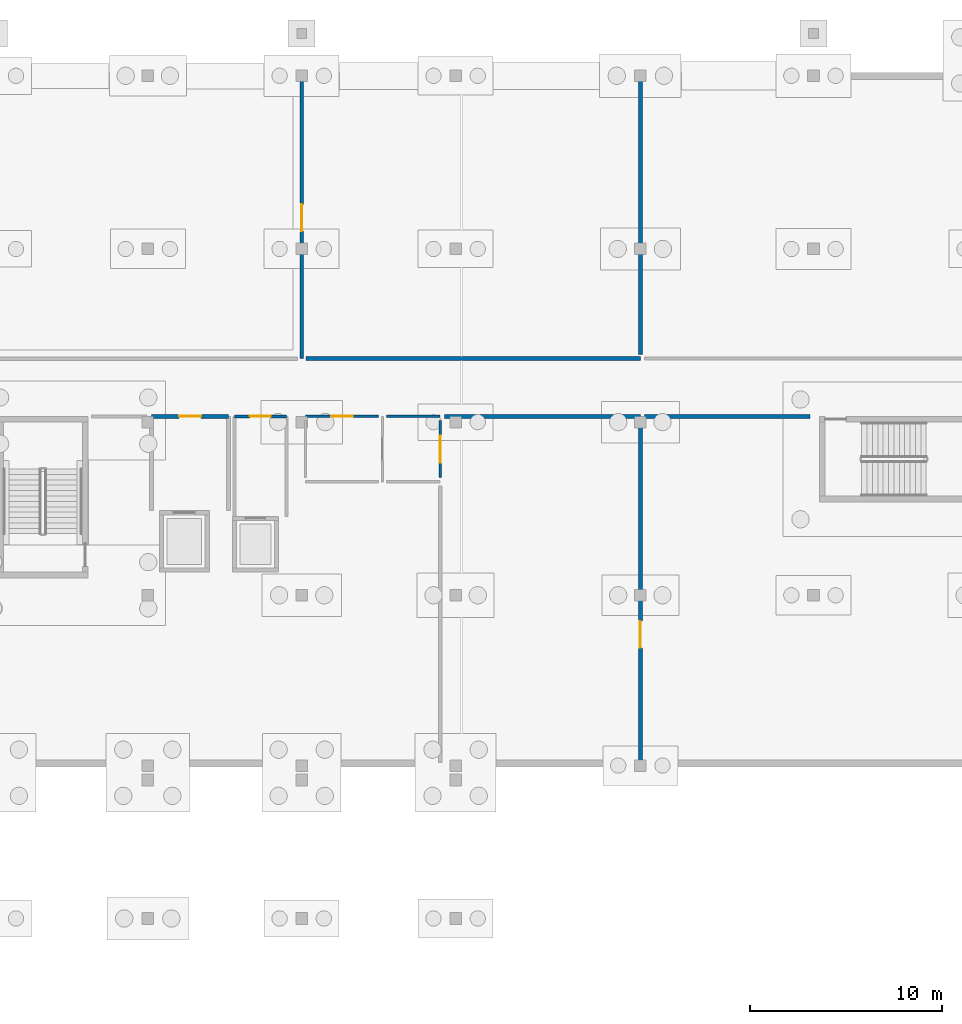
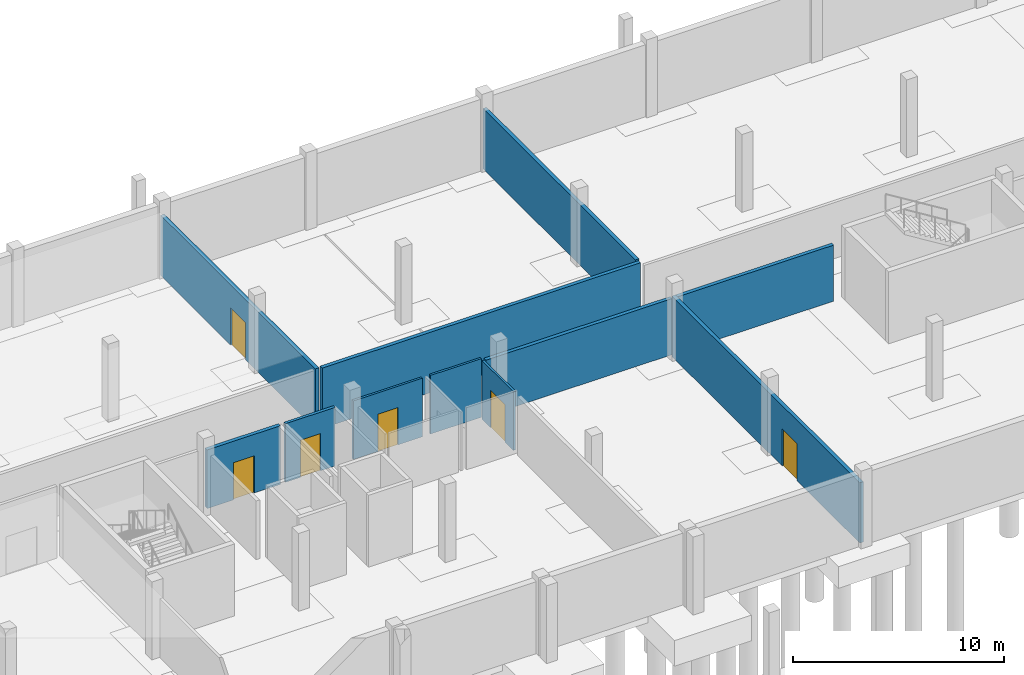
# One storey, part 20 of 36: 11 walls, 6 doors, 6 openings.
"""IFC4 building model written with IfcOpenShell, lengths in metres."""

from ifc_helpers import new_model, si_unit, direction, frame, frame_2d, origin, place, context, subcontext, project, spatial, rectangle, extrude, material, layer, layer_set, type_object, element, fill, save


model = new_model("IFC4")

# Units and contexts
model_context = context("Model", 3, precision=1e-05, world=origin(), true_north=direction((0.0, 1.0)))
body_context = subcontext(model_context, "Body", "Model", "MODEL_VIEW")
ifc_project = project(units=[si_unit("LENGTHUNIT", "METRE"), si_unit("AREAUNIT", "SQUARE_METRE"), si_unit("VOLUMEUNIT", "CUBIC_METRE"), si_unit("PLANEANGLEUNIT", "RADIAN"), si_unit("MASSUNIT", "GRAM", prefix="KILO")], contexts=[model_context])

# Site, building, storey
site_placement = place(None, origin())
site = spatial("IfcSite", under=ifc_project, at=site_placement, CompositionType="ELEMENT")
building_placement = place(site_placement, origin())
building = spatial("IfcBuilding", under=site, at=building_placement, Name="Chiffa Square Polytechnic", CompositionType="ELEMENT")
storey_placement = place(building_placement, frame((0.0, 0.0, -4.5)))
storey = spatial("IfcBuildingStorey", under=building, at=storey_placement, Name="B1", CompositionType="ELEMENT", Elevation=-4.5)

# Wall, opening, door
ifc_material_1 = material(Name="Autoclaved aerated concrete blockwork", Category="masonry")
ifc_layer_1 = layer(ifc_material_1, 0.199951171875, Name="Autoclaved aerated concrete blockwork")
ifc_layer_set_1 = layer_set([ifc_layer_1], Name="Autoclaved aerated concrete blockwork")
wall_type_1 = type_object("IfcWallType", Name="WL-PART-EI120-200", PredefinedType="PARTITIONING", material=ifc_layer_set_1)
wall_1_placement = place(storey_placement, frame((32.199951171875, 113.10009765625, 0.0), z_axis=(0.0, 0.0, 1.0), x_axis=(1.0, 0.0, 0.0)))
wall_1 = element("IfcWall", 1, at=wall_1_placement, inside=storey, type_object=wall_type_1, Name="Lift lobby rated enclosure WP-LOB-LF-V5-B1-NORTH", PredefinedType="PARTITIONING", context=body_context, shape_type="SweptSolid", body=[
    extrude(rectangle(XDim=4.0, YDim=0.199951171875, at=frame_2d((2.0, 0.0))), origin(), (0.0, 0.0, 1.0), 3.385009765625),
])
opening_1_placement = place(wall_1_placement, frame((1.425048828125, 0.0, 0.0)))
opening_1 = element("IfcOpeningElement", 2, at=opening_1_placement, cuts=wall_1, Name="Opening DI-B1-032", PredefinedType="OPENING", context=body_context, shape_type="SweptSolid", body=[
    extrude(rectangle(XDim=1.14990234375, YDim=2.14990234375, at=frame_2d((0.574951171875, 1.074951171875))), frame((0.0, 0.10986328125, 0.0), z_axis=(0.0, -1.0, 0.0), x_axis=(1.0, 0.0, 0.0)), (0.0, 0.0, 1.0), 0.219970703125),
])
ifc_material_2 = material(Name="Fire-rated steel door leaf", Category="steel")
door_type_1 = type_object("IfcDoorType", Name="DR-LOBBY-FD120", OperationType="NOTDEFINED", PredefinedType="DOOR", material=ifc_material_2)
door_1_placement = place(opening_1_placement, origin())
door_1 = element("IfcDoor", 3, at=door_1_placement, inside=storey, type_object=door_type_1, Name="Lift lobby fire door DI-B1-032", OperationType="SINGLE_SWING_LEFT", OverallHeight=2.14990234375, OverallWidth=1.14990234375, PredefinedType="DOOR", context=body_context, shape_type="SweptSolid", body=[
    extrude(rectangle(XDim=1.14990234375, YDim=2.14990234375, at=frame_2d((0.574951171875, 1.074951171875))), frame((0.0, 0.02490234375, 0.0), z_axis=(0.0, -1.0, 0.0), x_axis=(1.0, 0.0, 0.0)), (0.0, 0.0, 1.0), 0.050048828125),
])
fill(opening_1, door_1)

# Wall
wall_2_placement = place(storey_placement, frame((47.419921875, 113.10009765625, 0.0), z_axis=(0.0, 0.0, 1.0), x_axis=(1.0, 0.0, 0.0)))
element("IfcWall", 4, at=wall_2_placement, inside=storey, type_object=wall_type_1, Name="Interior partition WP-V5-B1-0034", PredefinedType="PARTITIONING", context=body_context, shape_type="SweptSolid", body=[
    extrude(rectangle(XDim=10.18017578125, YDim=0.199951171875, at=frame_2d((5.090087890625, 0.0))), origin(), (0.0, 0.0, 1.0), 3.235107421875),
])

# Wall, opening, door
wall_3_placement = place(storey_placement, frame((57.60009765625, 95.10498046875, 0.0), z_axis=(0.0, 0.0, 1.0), x_axis=(0.0, 1.0, 0.0)))
wall_3 = element("IfcWall", 5, at=wall_3_placement, inside=storey, type_object=wall_type_1, Name="Interior partition WP-V5-B1-0035", PredefinedType="PARTITIONING", context=body_context, shape_type="SweptSolid", body=[
    extrude(rectangle(XDim=17.77490234375, YDim=0.199951171875, at=frame_2d((8.887451171875, 0.0))), origin(), (0.0, 0.0, 1.0), 3.485107421875),
])
opening_2_placement = place(wall_3_placement, frame((5.95703125, 0.0, 0.0)))
opening_2 = element("IfcOpeningElement", 6, at=opening_2_placement, cuts=wall_3, Name="Opening DI-B1-058", PredefinedType="OPENING", context=body_context, shape_type="SweptSolid", body=[
    extrude(rectangle(XDim=1.39990234375, YDim=2.14990234375, at=frame_2d((0.699951171875, 1.074951171875))), frame((0.0, 0.10986328125, 0.0), z_axis=(0.0, -1.0, 0.0), x_axis=(1.0, 0.0, 0.0)), (0.0, 0.0, 1.0), 0.219970703125),
])
ifc_material_3 = material(Name="Louvred painted steel plant door", Category="steel")
door_type_2 = type_object("IfcDoorType", Name="DR-PLANT-1400", OperationType="DOUBLE_DOOR_SINGLE_SWING", PredefinedType="DOOR", material=ifc_material_3)
door_2_placement = place(opening_2_placement, origin())
door_2 = element("IfcDoor", 7, at=door_2_placement, inside=storey, type_object=door_type_2, Name="Interior room door DI-B1-058", OperationType="DOUBLE_DOOR_SINGLE_SWING", OverallHeight=2.14990234375, OverallWidth=1.39990234375, PredefinedType="DOOR", context=body_context, shape_type="SweptSolid", body=[
    extrude(rectangle(XDim=1.39990234375, YDim=2.14990234375, at=frame_2d((0.699951171875, 1.074951171875))), frame((0.0, 0.02490234375, 0.0), z_axis=(0.0, -1.0, 0.0), x_axis=(1.0, 0.0, 0.0)), (0.0, 0.0, 1.0), 0.050048828125),
])
fill(opening_2, door_2)

wall_4_placement = place(storey_placement, frame((40.0, 116.10009765625, 0.0), z_axis=(0.0, 0.0, 1.0), x_axis=(0.0, 1.0, 0.0)))
wall_4 = element("IfcWall", 8, at=wall_4_placement, inside=storey, type_object=wall_type_1, Name="Interior partition WP-V5-B1-0037", PredefinedType="PARTITIONING", context=body_context, shape_type="SweptSolid", body=[
    extrude(rectangle(XDim=14.64501953125, YDim=0.199951171875, at=frame_2d((7.322509765625, 0.0))), origin(), (0.0, 0.0, 1.0), 3.485107421875),
])
opening_3_placement = place(wall_4_placement, frame((6.623046875, 0.0, 0.0)))
opening_3 = element("IfcOpeningElement", 9, at=opening_3_placement, cuts=wall_4, Name="Opening DI-B1-059", PredefinedType="OPENING", context=body_context, shape_type="SweptSolid", body=[
    extrude(rectangle(XDim=1.39990234375, YDim=2.14990234375, at=frame_2d((0.699951171875, 1.074951171875))), frame((0.0, 0.10986328125, 0.0), z_axis=(0.0, -1.0, 0.0), x_axis=(1.0, 0.0, 0.0)), (0.0, 0.0, 1.0), 0.219970703125),
])
door_3_placement = place(opening_3_placement, origin())
door_3 = element("IfcDoor", 10, at=door_3_placement, inside=storey, type_object=door_type_2, Name="Interior room door DI-B1-059", OperationType="DOUBLE_DOOR_SINGLE_SWING", OverallHeight=2.14990234375, OverallWidth=1.39990234375, PredefinedType="DOOR", context=body_context, shape_type="SweptSolid", body=[
    extrude(rectangle(XDim=1.39990234375, YDim=2.14990234375, at=frame_2d((0.699951171875, 1.074951171875))), frame((0.0, 0.02490234375, 0.0), z_axis=(0.0, -1.0, 0.0), x_axis=(1.0, 0.0, 0.0)), (0.0, 0.0, 1.0), 0.050048828125),
])
fill(opening_3, door_3)

# Walls
wall_5_placement = place(storey_placement, frame((40.219970703125, 116.10009765625, 0.0), z_axis=(0.0, 0.0, 1.0), x_axis=(1.0, 0.0, 0.0)))
element("IfcWall", 11, at=wall_5_placement, inside=storey, type_object=wall_type_1, Name="Interior partition WP-V5-B1-0038", PredefinedType="PARTITIONING", context=body_context, shape_type="SweptSolid", body=[
    extrude(rectangle(XDim=17.380126953125, YDim=0.199951171875, at=frame_2d((8.68994140625, 0.0))), origin(), (0.0, 0.0, 1.0), 3.485107421875),
])
wall_6_placement = place(storey_placement, frame((57.60009765625, 116.320068359375, 0.0), z_axis=(0.0, 0.0, 1.0), x_axis=(0.0, 1.0, 0.0)))
element("IfcWall", 12, at=wall_6_placement, inside=storey, type_object=wall_type_1, Name="Interior partition WP-V5-B1-0039", PredefinedType="PARTITIONING", context=body_context, shape_type="SweptSolid", body=[
    extrude(rectangle(XDim=14.425048828125, YDim=0.199951171875, at=frame_2d((7.21240234375, 0.0))), origin(), (0.0, 0.0, 1.0), 3.485107421875),
])
wall_7_placement = place(storey_placement, frame((57.820068359375, 113.10009765625, 0.0), z_axis=(0.0, 0.0, 1.0), x_axis=(1.0, 0.0, 0.0)))
element("IfcWall", 13, at=wall_7_placement, inside=storey, type_object=wall_type_1, Name="Interior partition WP-V5-B1-0048", PredefinedType="PARTITIONING", context=body_context, shape_type="SweptSolid", body=[
    extrude(rectangle(XDim=8.5888671875, YDim=0.199951171875, at=frame_2d((4.29443359375, 0.0))), origin(), (0.0, 0.0, 1.0), 3.235107421875),
])

# Wall, opening, door
ifc_material_4 = material(Name="Gypsum board on acoustic steel stud", Category="steel")
ifc_layer_2 = layer(ifc_material_4, 0.159912109375, Name="Gypsum board on acoustic steel stud")
ifc_layer_set_2 = layer_set([ifc_layer_2], Name="Gypsum board on acoustic steel stud")
wall_type_2 = type_object("IfcWallType", Name="WL-PART-EI60-160", PredefinedType="PARTITIONING", material=ifc_layer_set_2)
wall_8_placement = place(storey_placement, frame((36.5, 113.10009765625, 0.0), z_axis=(0.0, 0.0, 1.0), x_axis=(1.0, 0.0, 0.0)))
wall_8 = element("IfcWall", 14, at=wall_8_placement, inside=storey, type_object=wall_type_2, Name="Lift lobby rated enclosure WP-LOB-LP-V5A-B1-NORTH", PredefinedType="PARTITIONING", context=body_context, shape_type="SweptSolid", body=[
    extrude(rectangle(XDim=2.699951171875, YDim=0.159912109375, at=frame_2d((1.35009765625, 0.0))), origin(), (0.0, 0.0, 1.0), 3.385009765625),
])
opening_4_placement = place(wall_8_placement, frame((0.800048828125, 0.0, 0.0)))
opening_4 = element("IfcOpeningElement", 15, at=opening_4_placement, cuts=wall_8, Name="Opening DI-B1-038", PredefinedType="OPENING", context=body_context, shape_type="SweptSolid", body=[
    extrude(rectangle(XDim=1.10009765625, YDim=2.14990234375, at=frame_2d((0.550048828125, 1.074951171875))), frame((0.0, 0.08984375, 0.0), z_axis=(0.0, -1.0, 0.0), x_axis=(1.0, 0.0, 0.0)), (0.0, 0.0, 1.0), 0.179931640625),
])
ifc_material_5 = material(Name="Solid core ash veneer door")
door_type_3 = type_object("IfcDoorType", Name="DR-INT-1100", OperationType="NOTDEFINED", PredefinedType="DOOR", material=ifc_material_5)
door_4_placement = place(opening_4_placement, origin())
door_4 = element("IfcDoor", 16, at=door_4_placement, inside=storey, type_object=door_type_3, Name="Lift lobby fire door DI-B1-038", OperationType="SINGLE_SWING_LEFT", OverallHeight=2.14990234375, OverallWidth=1.10009765625, PredefinedType="DOOR", context=body_context, shape_type="SweptSolid", body=[
    extrude(rectangle(XDim=1.10009765625, YDim=2.14990234375, at=frame_2d((0.550048828125, 1.074951171875))), frame((0.0, 0.02490234375, 0.0), z_axis=(0.0, -1.0, 0.0), x_axis=(1.0, 0.0, 0.0)), (0.0, 0.0, 1.0), 0.050048828125),
])
fill(opening_4, door_4)

# Wall
ifc_material_6 = material(Name="Moisture-resistant board partition")
ifc_layer_3 = layer(ifc_material_6, 0.1201171875, Name="Moisture-resistant board partition")
ifc_layer_set_3 = layer_set([ifc_layer_3], Name="Moisture-resistant board partition")
wall_type_3 = type_object("IfcWallType", Name="WL-PART-WC-120", PredefinedType="PARTITIONING", material=ifc_layer_set_3)
wall_9_placement = place(storey_placement, frame((44.419921875, 113.10009765625, 0.0), z_axis=(0.0, 0.0, 1.0), x_axis=(1.0, 0.0, 0.0)))
element("IfcWall", 17, at=wall_9_placement, inside=storey, type_object=wall_type_3, Name="Interior partition WP-V5-B1-0003", PredefinedType="PARTITIONING", context=body_context, shape_type="SweptSolid", body=[
    extrude(rectangle(XDim=2.780029296875, YDim=0.1201171875, at=frame_2d((1.39013671875, 0.0))), origin(), (0.0, 0.0, 1.0), 3.385009765625),
])

# Wall, opening, door
wall_10_placement = place(storey_placement, frame((47.199951171875, 109.919921875, 0.0), z_axis=(0.0, 0.0, 1.0), x_axis=(0.0, 1.0, 0.0)))
wall_10 = element("IfcWall", 18, at=wall_10_placement, inside=storey, type_object=wall_type_3, Name="Interior partition WP-V5-B1-0004", PredefinedType="PARTITIONING", context=body_context, shape_type="SweptSolid", body=[
    extrude(rectangle(XDim=2.9599609375, YDim=0.1201171875, at=frame_2d((1.47998046875, 0.0))), origin(), (0.0, 0.0, 1.0), 3.385009765625),
])
opening_5_placement = place(wall_10_placement, frame((0.780029296875, 0.0, 0.0)))
opening_5 = element("IfcOpeningElement", 19, at=opening_5_placement, cuts=wall_10, Name="Opening DI-B1-049", PredefinedType="OPENING", context=body_context, shape_type="SweptSolid", body=[
    extrude(rectangle(XDim=1.39990234375, YDim=2.14990234375, at=frame_2d((0.699951171875, 1.074951171875))), frame((0.0, 0.070068359375, 0.0), z_axis=(0.0, -1.0, 0.0), x_axis=(1.0, 0.0, 0.0)), (0.0, 0.0, 1.0), 0.14013671875),
])
door_5_placement = place(opening_5_placement, origin())
door_5 = element("IfcDoor", 20, at=door_5_placement, inside=storey, type_object=door_type_2, Name="Interior room door DI-B1-049", OperationType="DOUBLE_DOOR_SINGLE_SWING", OverallHeight=2.14990234375, OverallWidth=1.39990234375, PredefinedType="DOOR", context=body_context, shape_type="SweptSolid", body=[
    extrude(rectangle(XDim=1.39990234375, YDim=2.14990234375, at=frame_2d((0.699951171875, 1.074951171875))), frame((0.0, 0.02490234375, 0.0), z_axis=(0.0, -1.0, 0.0), x_axis=(1.0, 0.0, 0.0)), (0.0, 0.0, 1.0), 0.050048828125),
])
fill(opening_5, door_5)

wall_11_placement = place(storey_placement, frame((40.199951171875, 113.10009765625, 0.0), z_axis=(0.0, 0.0, 1.0), x_axis=(1.0, 0.0, 0.0)))
wall_11 = element("IfcWall", 21, at=wall_11_placement, inside=storey, type_object=wall_type_3, Name="Interior partition WP-V5-B1-0005", PredefinedType="PARTITIONING", context=body_context, shape_type="SweptSolid", body=[
    extrude(rectangle(XDim=3.780029296875, YDim=0.1201171875, at=frame_2d((1.89013671875, 0.0))), origin(), (0.0, 0.0, 1.0), 3.385009765625),
])
opening_6_placement = place(wall_11_placement, frame((1.340087890625, 0.0, 0.0)))
opening_6 = element("IfcOpeningElement", 22, at=opening_6_placement, cuts=wall_11, Name="Opening DI-B1-050", PredefinedType="OPENING", context=body_context, shape_type="SweptSolid", body=[
    extrude(rectangle(XDim=1.10009765625, YDim=2.14990234375, at=frame_2d((0.550048828125, 1.074951171875))), frame((0.0, 0.070068359375, 0.0), z_axis=(0.0, -1.0, 0.0), x_axis=(1.0, 0.0, 0.0)), (0.0, 0.0, 1.0), 0.14013671875),
])
door_6_placement = place(opening_6_placement, origin())
door_6 = element("IfcDoor", 23, at=door_6_placement, inside=storey, type_object=door_type_3, Name="Interior room door DI-B1-050", OperationType="SINGLE_SWING_RIGHT", OverallHeight=2.14990234375, OverallWidth=1.10009765625, PredefinedType="DOOR", context=body_context, shape_type="SweptSolid", body=[
    extrude(rectangle(XDim=1.10009765625, YDim=2.14990234375, at=frame_2d((0.550048828125, 1.074951171875))), frame((0.0, 0.02490234375, 0.0), z_axis=(0.0, -1.0, 0.0), x_axis=(1.0, 0.0, 0.0)), (0.0, 0.0, 1.0), 0.050048828125),
])
fill(opening_6, door_6)

save(model, "model.ifc")
